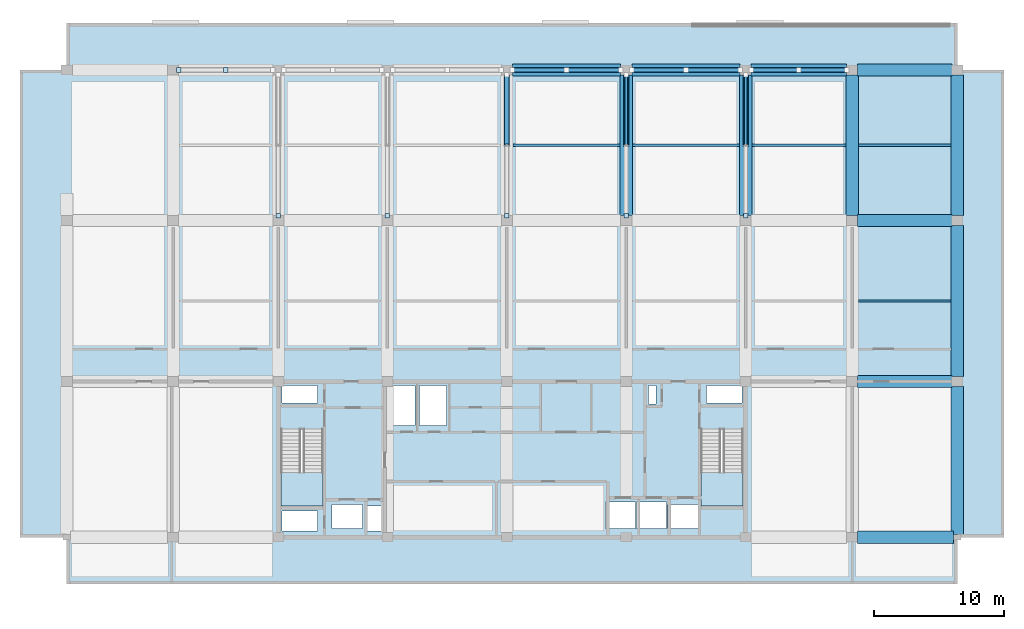
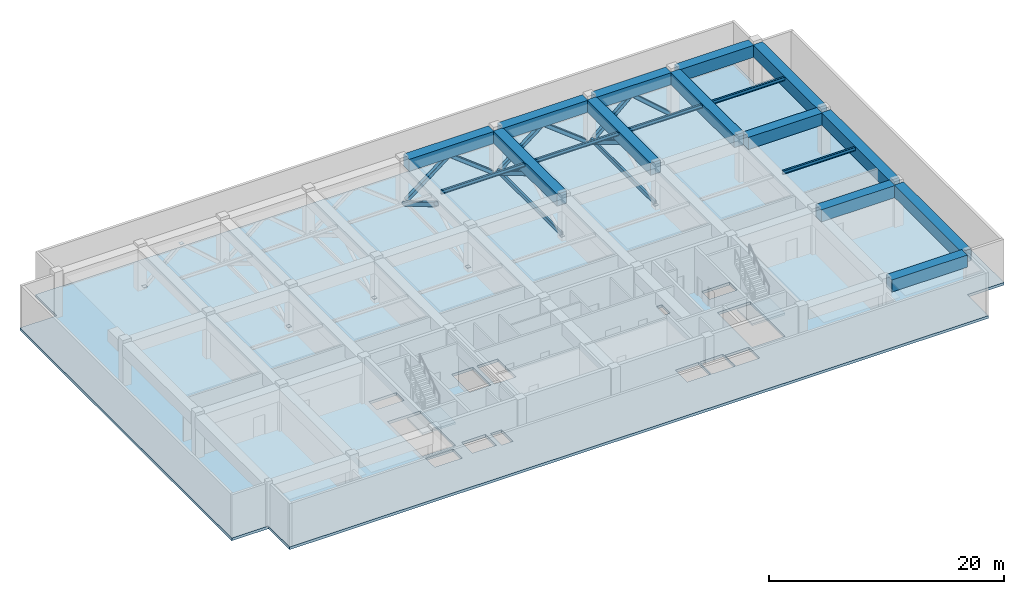
# One storey, part 2 of 11: 18 beams, 11 members, 7 plates, 3 slabs, 2 elements without a shape of their own.
"""IFC4 building model written with IfcOpenShell, lengths in metres."""

import ifcopenshell
import ifcopenshell.guid

model = None  # the IFC model being written
_history = None  # IfcOwnerHistory: only IFC2X3 demands one
_inside = {}  # id of a spatial element -> (the spatial element, [elements in it])
_under = {}  # id of a project, library or spatial element -> (it, [spatial elements below it])
_declared = {}  # id of a project -> (the project, [libraries it declares])
_typed = {}  # id of a type object -> (the type object, [elements of that type])
_made_of = {}  # id of a material, layer set ... -> (it, [elements and type objects made of it])


def new_model(schema):
    """Start an empty IFC model of exactly this schema.

    Asked for "IFC4X3", IfcOpenShell would pick the latest addendum, in which some entities
    have other attributes; the version numbers below select the first issue.
    IFC2X3 requires an IfcOwnerHistory on every rooted entity: one is made here for all.
    """
    global model, _history
    if schema == "IFC4X3":
        model = ifcopenshell.file(schema_version=(4, 3, 0, 0))
    else:
        model = ifcopenshell.file(schema=schema)
    _inside.clear()
    _under.clear()
    _declared.clear()
    _typed.clear()
    _made_of.clear()
    _history = None
    if model.schema == "IFC2X3":
        org = make("IfcOrganization", Name="unknown")
        user = make(
            "IfcPersonAndOrganization",
            ThePerson=make("IfcPerson", FamilyName="unknown"),
            TheOrganization=org,
        )
        app = make(
            "IfcApplication",
            ApplicationDeveloper=org,
            Version="unknown",
            ApplicationFullName="unknown",
            ApplicationIdentifier="unknown",
        )
        _history = make(
            "IfcOwnerHistory",
            OwningUser=user,
            OwningApplication=app,
            ChangeAction="ADDED",
            CreationDate=0,
        )
    return model


def make(cls, **values):
    """One entity of the class cls with the attributes given. An attribute that is None is left unset."""
    return model.create_entity(
        cls, **{name: value for name, value in values.items() if value is not None}
    )


def rooted(cls, **values):
    """An entity with a GlobalId (a new one), such as an element, a storey or a relation."""
    return make(cls, GlobalId=ifcopenshell.guid.new(), OwnerHistory=_history, **values)


def si_unit(unit_type, name, prefix=None):
    """IfcSIUnit, for example si_unit("LENGTHUNIT", "METRE", prefix="MILLI")."""
    return make("IfcSIUnit", UnitType=unit_type, Prefix=prefix, Name=name)


def assignment(units):
    """IfcUnitAssignment: the units of a project."""
    return None if units is None else make("IfcUnitAssignment", Units=units)


def point(xyz):
    """IfcCartesianPoint."""
    return None if xyz is None else make("IfcCartesianPoint", Coordinates=xyz)


def direction(xyz):
    """IfcDirection."""
    return None if xyz is None else make("IfcDirection", DirectionRatios=xyz)


def frame(location, z_axis=None, x_axis=None):
    """IfcAxis2Placement3D, a coordinate frame: its origin and axes. An axis left out is left unset."""
    return make(
        "IfcAxis2Placement3D",
        Location=point(location),
        Axis=direction(z_axis),
        RefDirection=direction(x_axis),
    )


def frame_2d(location, x_axis=None):
    """IfcAxis2Placement2D, a coordinate frame in the plane: its origin and x axis."""
    return make(
        "IfcAxis2Placement2D", Location=point(location), RefDirection=direction(x_axis)
    )


def origin():
    """The frame at (0, 0, 0) with its axes left unset."""
    return frame((0.0, 0.0, 0.0))


def origin_2d():
    """The frame at (0, 0) in the plane with its x axis left unset."""
    return frame_2d((0.0, 0.0))


def place(relative_to, where):
    """IfcLocalPlacement: puts the frame where relative to a parent placement (None: the world)."""
    return make(
        "IfcLocalPlacement", PlacementRelTo=relative_to, RelativePlacement=where
    )


def context(
    kind, dimensions, precision=None, world=None, true_north=None, identifier=None
):
    """IfcGeometricRepresentationContext, for example the 3D "Model" context."""
    return make(
        "IfcGeometricRepresentationContext",
        ContextIdentifier=identifier,
        ContextType=kind,
        CoordinateSpaceDimension=dimensions,
        Precision=precision,
        WorldCoordinateSystem=world,
        TrueNorth=true_north,
    )


def subcontext(parent, identifier, kind, view, scale=None):
    """IfcGeometricRepresentationSubContext, for example "Body" below "Model"."""
    return make(
        "IfcGeometricRepresentationSubContext",
        ContextIdentifier=identifier,
        ContextType=kind,
        ParentContext=parent,
        TargetScale=scale,
        TargetView=view,
    )


def project(units=None, contexts=None):
    """IfcProject with its units and contexts."""
    return rooted(
        "IfcProject",
        Name="project",
        RepresentationContexts=contexts,
        UnitsInContext=assignment(units),
    )


def spatial(cls, under=None, at=None, **own):
    """A site, building, storey or space (cls), placed at a placement, below another one or the project."""
    s = rooted(cls, ObjectPlacement=at, **own)
    if under is not None:
        _under.setdefault(under.id(), (under, []))[1].append(s)
    return s


def polyline(points):
    """IfcPolyline through the points."""
    return make("IfcPolyline", Points=[point(p) for p in points])


def profile(cls, at=None, kind="AREA", **sizes):
    """A parametric profile (cls). Its sizes go by their IFC names, for example OverallWidth=200.0."""
    return make(cls, ProfileType=kind, Position=at, **sizes)


def rectangle(**sizes):
    """IfcRectangleProfileDef."""
    return profile("IfcRectangleProfileDef", **sizes)


def hollow_rectangle(**sizes):
    """IfcRectangleHollowProfileDef."""
    return profile("IfcRectangleHollowProfileDef", **sizes)


def i_section(**sizes):
    """IfcIShapeProfileDef."""
    return profile("IfcIShapeProfileDef", **sizes)


def outline(outer, holes=None, kind="AREA"):
    """IfcArbitraryClosedProfileDef: a profile drawn as a closed curve; with holes, ...WithVoids."""
    if holes is None:
        return make("IfcArbitraryClosedProfileDef", ProfileType=kind, OuterCurve=outer)
    return make(
        "IfcArbitraryProfileDefWithVoids",
        ProfileType=kind,
        OuterCurve=outer,
        InnerCurves=holes,
    )


def extrude(swept, where, along, depth):
    """IfcExtrudedAreaSolid: the profile swept, set in the frame where, extruded along a direction by depth."""
    return make(
        "IfcExtrudedAreaSolid",
        SweptArea=swept,
        Position=where,
        ExtrudedDirection=direction(along),
        Depth=depth,
    )


def shape(context_of_items, identifier, shape_type, items):
    """IfcShapeRepresentation: the items that make up one representation, for example the "Body"."""
    return make(
        "IfcShapeRepresentation",
        ContextOfItems=context_of_items,
        RepresentationIdentifier=identifier,
        RepresentationType=shape_type,
        Items=items,
    )


def material(Name=None, Category=None):
    """IfcMaterial."""
    return make("IfcMaterial", Name=Name, Category=Category)


def layer(
    of_material, thickness, ventilated=None, Name=None, Category=None, Priority=None
):
    """IfcMaterialLayer: one layer of a wall or slab, of a material (None: an air gap)."""
    return make(
        "IfcMaterialLayer",
        Material=of_material,
        LayerThickness=thickness,
        IsVentilated=ventilated,
        Name=Name,
        Category=Category,
        Priority=Priority,
    )


def layer_set(layers, Name=None):
    """IfcMaterialLayerSet."""
    return make("IfcMaterialLayerSet", MaterialLayers=layers, LayerSetName=Name)


def material_profile(
    of_material, cross_section, Name=None, Category=None, Priority=None
):
    """IfcMaterialProfile: a cross section and its material."""
    return make(
        "IfcMaterialProfile",
        Name=Name,
        Material=of_material,
        Profile=cross_section,
        Priority=Priority,
        Category=Category,
    )


def profile_set(profiles, Name=None, composite=None):
    """IfcMaterialProfileSet."""
    return make(
        "IfcMaterialProfileSet",
        Name=Name,
        MaterialProfiles=profiles,
        CompositeProfile=composite,
    )


def made_of(thing, what):
    """Note that an element or type object is made of a material, layer set ...; save() writes the relation."""
    if what is not None:
        _made_of.setdefault(what.id(), (what, []))[1].append(thing)
    return thing


def type_object(cls, material=None, **own):
    """A type object (cls), such as IfcWallType, which elements share."""
    return made_of(rooted(cls, **own), material)


def element(
    cls,
    number,
    at=None,
    inside=None,
    cuts=None,
    type_object=None,
    material=None,
    context=None,
    identifier="Body",
    shape_type=None,
    held_by="IfcProductDefinitionShape",
    body=None,
    shapes=None,
    **own,
):
    """One element of the class cls, such as IfcWall. Its Tag is "e" and its number.

    at: its placement. inside: the storey or other place that contains it. cuts: it is an
    opening in that element (IfcRelVoidsElement). A single representation is given by context,
    identifier, shape_type and body (its items); several are given by shapes. held_by: the class
    of the entity that holds the representations. save() writes the other relations.
    """
    e = rooted(cls, Tag="e%d" % number, ObjectPlacement=at, **own)
    if body is not None:
        shapes = [shape(context, identifier, shape_type, body)]
    if shapes is not None:
        e.Representation = make(held_by, Representations=shapes)
    if inside is not None:
        _inside.setdefault(inside.id(), (inside, []))[1].append(e)
    if cuts is not None:
        rooted(
            "IfcRelVoidsElement", RelatingBuildingElement=cuts, RelatedOpeningElement=e
        )
    if type_object is not None:
        _typed.setdefault(type_object.id(), (type_object, []))[1].append(e)
    return made_of(e, material)


def aggregate(whole, parts):
    """IfcRelAggregates: a whole, such as a stair, and the parts it consists of."""
    return rooted("IfcRelAggregates", RelatingObject=whole, RelatedObjects=parts)


def save(model, path):
    """Write the relations noted so far, then the file.

    IfcRelAggregates (storeys below a building ...), IfcRelContainedInSpatialStructure (elements
    in a storey), IfcRelDefinesByType, IfcRelAssociatesMaterial and IfcRelDeclares: one each for
    every whole, place, type object, material and project.
    """
    for whole, parts in _under.values():
        aggregate(whole, parts)
    for where, things in _inside.values():
        rooted(
            "IfcRelContainedInSpatialStructure",
            RelatedElements=things,
            RelatingStructure=where,
        )
    for kind, things in _typed.values():
        rooted("IfcRelDefinesByType", RelatedObjects=things, RelatingType=kind)
    for what, things in _made_of.values():
        rooted("IfcRelAssociatesMaterial", RelatedObjects=things, RelatingMaterial=what)
    for by, libraries in _declared.values():
        rooted("IfcRelDeclares", RelatingContext=by, RelatedDefinitions=libraries)
    model.write(path)


model = new_model("IFC4")

# Units and contexts
model_context = context("Model", 3, precision=1e-05, world=origin(), true_north=direction((0.0, 1.0)))
body_context = subcontext(model_context, "Body", "Model", "MODEL_VIEW")
ifc_project = project(units=[si_unit("LENGTHUNIT", "METRE"), si_unit("AREAUNIT", "SQUARE_METRE"), si_unit("VOLUMEUNIT", "CUBIC_METRE"), si_unit("PLANEANGLEUNIT", "RADIAN"), si_unit("MASSUNIT", "GRAM", prefix="KILO")], contexts=[model_context])

# Site, building, storey
site_placement = place(None, origin())
site = spatial("IfcSite", under=ifc_project, at=site_placement, CompositionType="ELEMENT")
building_placement = place(site_placement, origin())
building = spatial("IfcBuilding", under=site, at=building_placement, Name="Korimba Cascade Residences", CompositionType="ELEMENT")
storey_placement = place(building_placement, frame((0.0, 0.0, 223.85009765625)))
storey = spatial("IfcBuildingStorey", under=building, at=storey_placement, Name="L65", CompositionType="ELEMENT", Elevation=223.85009765625)

# Beams
ifc_material_1 = material(Name="Steel S355", Category="steel")
ifc_material_profile_1 = material_profile(ifc_material_1, i_section(OverallWidth=0.172119140625, OverallDepth=0.35791015625, WebThickness=0.008056640625, FlangeThickness=0.012939453125, FilletRadius=0.01025390625, at=origin_2d()), Name="Steel S355")
ifc_profile_set_1 = profile_set([ifc_material_profile_1], Name="Steel S355")
beam_type_1 = type_object("IfcBeamType", Name="BM-STL-UB356", PredefinedType="JOIST", material=ifc_profile_set_1)
beam_1_placement = place(storey_placement, frame((120.77490234375, 73.39990234375, 4.30078125), z_axis=(1.0, 0.0, 0.0), x_axis=(0.0, 1.0, 0.0)))
element("IfcBeam", 1, at=beam_1_placement, inside=storey, type_object=beam_type_1, Name="L65 T1 Floor Joist 1.8", PredefinedType="JOIST", context=body_context, shape_type="SweptSolid", body=[
    extrude(i_section(OverallWidth=0.172119140625, OverallDepth=0.35791015625, WebThickness=0.008056640625, FlangeThickness=0.012939453125, FilletRadius=0.01025390625, at=origin_2d()), origin(), (0.0, 0.0, 1.0), 7.150146484375),
])
for number, where, z_axis, x_axis, name in (
    (2, (94.175048828125, 85.39990234375, 4.30078125), (1.0, 0.0, 0.0), (0.0, 1.0, 0.0), "L65 T1 Floor Joist 2.5"),
    (3, (103.375, 85.39990234375, 4.30078125), (1.0, 0.0, 0.0), (0.0, 1.0, 0.0), "L65 T1 Floor Joist 2.6"),
):
    element("IfcBeam", number, at=place(storey_placement, frame(where, z_axis=z_axis, x_axis=x_axis)), inside=storey, type_object=beam_type_1, Name=name, PredefinedType="JOIST", context=body_context, shape_type="SweptSolid", body=[
        extrude(i_section(OverallWidth=0.172119140625, OverallDepth=0.35791015625, WebThickness=0.008056640625, FlangeThickness=0.012939453125, FilletRadius=0.01025390625, at=origin_2d()), origin(), (0.0, 0.0, 1.0), 8.25),
    ])
beam_2_placement = place(storey_placement, frame((112.574951171875, 85.39990234375, 4.30078125), z_axis=(1.0, 0.0, 0.0), x_axis=(0.0, 1.0, 0.0)))
element("IfcBeam", 4, at=beam_2_placement, inside=storey, type_object=beam_type_1, Name="L65 T1 Floor Joist 2.7", PredefinedType="JOIST", context=body_context, shape_type="SweptSolid", body=[
    extrude(i_section(OverallWidth=0.172119140625, OverallDepth=0.35791015625, WebThickness=0.008056640625, FlangeThickness=0.012939453125, FilletRadius=0.01025390625, at=origin_2d()), origin(), (0.0, 0.0, 1.0), 7.25),
])
beam_3_placement = place(storey_placement, frame((120.77490234375, 85.39990234375, 4.30078125), z_axis=(1.0, 0.0, 0.0), x_axis=(0.0, 1.0, 0.0)))
element("IfcBeam", 5, at=beam_3_placement, inside=storey, type_object=beam_type_1, Name="L65 T1 Floor Joist 2.8", PredefinedType="JOIST", context=body_context, shape_type="SweptSolid", body=[
    extrude(i_section(OverallWidth=0.172119140625, OverallDepth=0.35791015625, WebThickness=0.008056640625, FlangeThickness=0.012939453125, FilletRadius=0.01025390625, at=origin_2d()), origin(), (0.0, 0.0, 1.0), 7.150146484375),
])
ifc_material_2 = material(Name="Concrete C65/80", Category="concrete")
ifc_material_profile_2 = material_profile(ifc_material_2, rectangle(XDim=0.949951171875, YDim=1.25, at=origin_2d()), Name="Concrete C65/80")
ifc_profile_set_2 = profile_set([ifc_material_profile_2], Name="Concrete C65/80")
beam_type_2 = type_object("IfcBeamType", Name="BM-TRF-1250", PredefinedType="T_BEAM", material=ifc_profile_set_2)
beam_4_placement = place(storey_placement, frame((120.72509765625, 55.199951171875, 3.85498046875), z_axis=(1.0, 0.0, 0.0), x_axis=(0.0, 1.0, 0.0)))
element("IfcBeam", 6, at=beam_4_placement, inside=storey, type_object=beam_type_2, Name="L65 T1 E-W Girder Y1 Bay 8", PredefinedType="T_BEAM", context=body_context, shape_type="SweptSolid", body=[
    extrude(rectangle(XDim=0.949951171875, YDim=1.25, at=origin_2d()), origin(), (0.0, 0.0, 1.0), 7.39990234375),
])
for number, where, z_axis, x_axis, name in (
    (7, (120.72509765625, 67.199951171875, 3.85498046875), (1.0, 0.0, 0.0), (0.0, 1.0, 0.0), "L65 T1 E-W Girder Y2 Bay 8"),
    (8, (120.72509765625, 79.60009765625, 3.85498046875), (1.0, 0.0, 0.0), (0.0, 1.0, 0.0), "L65 T1 E-W Girder Y3 Bay 8"),
):
    element("IfcBeam", number, at=place(storey_placement, frame(where, z_axis=z_axis, x_axis=x_axis)), inside=storey, type_object=beam_type_2, Name=name, PredefinedType="T_BEAM", context=body_context, shape_type="SweptSolid", body=[
        extrude(rectangle(XDim=0.949951171875, YDim=1.25, at=origin_2d()), origin(), (0.0, 0.0, 1.0), 7.25),
    ])
for number, where, z_axis, x_axis, name in (
    (9, (94.125, 91.199951171875, 3.85498046875), (1.0, 0.0, 0.0), (0.0, 1.0, 0.0), "L65 T1 E-W Girder Y4 Bay 5"),
    (10, (103.324951171875, 91.199951171875, 3.85498046875), (1.0, 0.0, 0.0), (0.0, 1.0, 0.0), "L65 T1 E-W Girder Y4 Bay 6"),
):
    element("IfcBeam", number, at=place(storey_placement, frame(where, z_axis=z_axis, x_axis=x_axis)), inside=storey, type_object=beam_type_2, Name=name, PredefinedType="T_BEAM", context=body_context, shape_type="SweptSolid", body=[
        extrude(rectangle(XDim=0.949951171875, YDim=1.25, at=origin_2d()), origin(), (0.0, 0.0, 1.0), 8.35009765625),
    ])
beam_5_placement = place(storey_placement, frame((112.52490234375, 91.199951171875, 3.85498046875), z_axis=(1.0, 0.0, 0.0), x_axis=(0.0, 1.0, 0.0)))
element("IfcBeam", 11, at=beam_5_placement, inside=storey, type_object=beam_type_2, Name="L65 T1 E-W Girder Y4 Bay 7", PredefinedType="T_BEAM", context=body_context, shape_type="SweptSolid", body=[
    extrude(rectangle(XDim=0.949951171875, YDim=1.25, at=origin_2d()), origin(), (0.0, 0.0, 1.0), 7.35009765625),
])
beam_6_placement = place(storey_placement, frame((120.72509765625, 91.199951171875, 3.85498046875), z_axis=(1.0, 0.0, 0.0), x_axis=(0.0, 1.0, 0.0)))
element("IfcBeam", 12, at=beam_6_placement, inside=storey, type_object=beam_type_2, Name="L65 T1 E-W Girder Y4 Bay 8", PredefinedType="T_BEAM", context=body_context, shape_type="SweptSolid", body=[
    extrude(rectangle(XDim=0.949951171875, YDim=1.25, at=origin_2d()), origin(), (0.0, 0.0, 1.0), 7.25),
])
for number, where, z_axis, x_axis, name in (
    (13, (102.89990234375, 79.97509765625, 3.85498046875), (0.0, 1.0, 0.0), (-1.0, 0.0, 0.0), "L65 T1 N-S Girder X6 Seg 3"),
    (14, (112.10009765625, 79.97509765625, 3.85498046875), (0.0, 1.0, 0.0), (-1.0, 0.0, 0.0), "L65 T1 N-S Girder X7 Seg 3"),
    (15, (120.300048828125, 79.97509765625, 3.85498046875), (0.0, 1.0, 0.0), (-1.0, 0.0, 0.0), "L65 T1 N-S Girder X8 Seg 3"),
):
    element("IfcBeam", number, at=place(storey_placement, frame(where, z_axis=z_axis, x_axis=x_axis)), inside=storey, type_object=beam_type_2, Name=name, PredefinedType="T_BEAM", context=body_context, shape_type="SweptSolid", body=[
        extrude(rectangle(XDim=0.949951171875, YDim=1.25, at=origin_2d()), origin(), (0.0, 0.0, 1.0), 10.849853515625),
    ])
beam_7_placement = place(storey_placement, frame((128.39990234375, 55.425048828125, 3.85498046875), z_axis=(0.0, 1.0, 0.0), x_axis=(-1.0, 0.0, 0.0)))
element("IfcBeam", 16, at=beam_7_placement, inside=storey, type_object=beam_type_2, Name="L65 T1 N-S Girder X9 Seg 1", PredefinedType="T_BEAM", context=body_context, shape_type="SweptSolid", body=[
    extrude(rectangle(XDim=0.949951171875, YDim=1.25, at=origin_2d()), origin(), (0.0, 0.0, 1.0), 11.39990234375),
])
beam_8_placement = place(storey_placement, frame((128.39990234375, 67.574951171875, 3.85498046875), z_axis=(0.0, 1.0, 0.0), x_axis=(-1.0, 0.0, 0.0)))
element("IfcBeam", 17, at=beam_8_placement, inside=storey, type_object=beam_type_2, Name="L65 T1 N-S Girder X9 Seg 2", PredefinedType="T_BEAM", context=body_context, shape_type="SweptSolid", body=[
    extrude(rectangle(XDim=0.949951171875, YDim=1.25, at=origin_2d()), origin(), (0.0, 0.0, 1.0), 11.650146484375),
])
beam_9_placement = place(storey_placement, frame((128.39990234375, 79.97509765625, 3.85498046875), z_axis=(0.0, 1.0, 0.0), x_axis=(-1.0, 0.0, 0.0)))
element("IfcBeam", 18, at=beam_9_placement, inside=storey, type_object=beam_type_2, Name="L65 T1 N-S Girder X9 Seg 3", PredefinedType="T_BEAM", context=body_context, shape_type="SweptSolid", body=[
    extrude(rectangle(XDim=0.949951171875, YDim=1.25, at=origin_2d()), origin(), (0.0, 0.0, 1.0), 10.849853515625),
])

# Members
ifc_material_3 = material(Name="Steel S460", Category="steel")
ifc_material_profile_3 = material_profile(ifc_material_3, hollow_rectangle(XDim=0.35009765625, YDim=0.35009765625, WallThickness=0.01611328125, InnerFilletRadius=0.01611328125, OuterFilletRadius=0.031982421875, at=origin_2d()), Name="Steel S460")
ifc_profile_set_3 = profile_set([ifc_material_profile_3], Name="Steel S460")
member_type_1 = type_object("IfcMemberType", Name="MEM-BLT-SHS350", PredefinedType="BRACE", material=ifc_profile_set_3)
for number, where, z_axis, x_axis, name in (
    (19, (94.125, 91.199951171875, 0.0), (0.790935986715, 0.0, 0.611898900897), (0.0, 1.0, 0.0), "L65 T1 Belt Chevron 4A"),
    (20, (102.47509765625, 91.199951171875, 0.0), (-0.790935986715, 0.0, 0.611898900897), (0.0, -1.0, 0.0), "L65 T1 Belt Chevron 4B"),
    (21, (103.324951171875, 91.199951171875, 0.0), (0.790935986715, 0.0, 0.611898900897), (0.0, 1.0, 0.0), "L65 T1 Belt Chevron 5A"),
    (22, (111.675048828125, 91.199951171875, 0.0), (-0.790935986715, 0.0, 0.611898900897), (0.0, -1.0, 0.0), "L65 T1 Belt Chevron 5B"),
):
    element("IfcMember", number, at=place(storey_placement, frame(where, z_axis=z_axis, x_axis=x_axis)), inside=storey, type_object=member_type_1, Name=name, PredefinedType="BRACE", context=body_context, shape_type="SweptSolid", body=[
        extrude(hollow_rectangle(XDim=0.35009765625, YDim=0.35009765625, WallThickness=0.01611328125, InnerFilletRadius=0.01611328125, OuterFilletRadius=0.031982421875, at=origin_2d()), origin(), (0.0, 0.0, 1.0), 5.278564453125),
    ])
for number, where, z_axis, x_axis, name in (
    (23, (112.52490234375, 91.199951171875, 0.0), (0.751125159107, 0.0, 0.660159825615), (0.0, 1.0, 0.0), "L65 T1 Belt Chevron 6A"),
    (24, (119.875, 91.199951171875, 0.0), (-0.751125159107, 0.0, 0.660159825615), (0.0, -1.0, 0.0), "L65 T1 Belt Chevron 6B"),
):
    element("IfcMember", number, at=place(storey_placement, frame(where, z_axis=z_axis, x_axis=x_axis)), inside=storey, type_object=member_type_1, Name=name, PredefinedType="BRACE", context=body_context, shape_type="SweptSolid", body=[
        extrude(hollow_rectangle(XDim=0.35009765625, YDim=0.35009765625, WallThickness=0.01611328125, InnerFilletRadius=0.01611328125, OuterFilletRadius=0.031982421875, at=origin_2d()), origin(), (0.0, 0.0, 1.0), 4.892822265625),
    ])
ifc_material_profile_4 = material_profile(ifc_material_3, hollow_rectangle(XDim=0.199951171875, YDim=0.39990234375, WallThickness=0.012451171875, InnerFilletRadius=0.012451171875, OuterFilletRadius=0.02490234375, at=origin_2d()), Name="Steel S460")
ifc_profile_set_4 = profile_set([ifc_material_profile_4], Name="Steel S460")
member_type_2 = type_object("IfcMemberType", Name="MEM-OUT-CHD400", PredefinedType="CHORD", material=ifc_profile_set_4)
for number, where, z_axis, x_axis, name in (
    (25, (102.89990234375, 79.97509765625, 0.199951171875), (0.0, 1.0, 0.0), (-1.0, 0.0, 0.0), "L65 T1 Outrigger Bottom Tie 4"),
    (26, (112.10009765625, 79.97509765625, 0.199951171875), (0.0, 1.0, 0.0), (-1.0, 0.0, 0.0), "L65 T1 Outrigger Bottom Tie 5"),
):
    element("IfcMember", number, at=place(storey_placement, frame(where, z_axis=z_axis, x_axis=x_axis)), inside=storey, type_object=member_type_2, Name=name, PredefinedType="CHORD", context=body_context, shape_type="SweptSolid", body=[
        extrude(hollow_rectangle(XDim=0.199951171875, YDim=0.39990234375, WallThickness=0.012451171875, InnerFilletRadius=0.012451171875, OuterFilletRadius=0.02490234375, at=origin_2d()), origin(), (0.0, 0.0, 1.0), 10.849853515625),
    ])
ifc_material_profile_5 = material_profile(ifc_material_3, hollow_rectangle(XDim=0.39990234375, YDim=0.39990234375, WallThickness=0.01611328125, InnerFilletRadius=0.01611328125, OuterFilletRadius=0.031982421875, at=origin_2d()), Name="Steel S460")
ifc_profile_set_5 = profile_set([ifc_material_profile_5], Name="Steel S460")
member_type_3 = type_object("IfcMemberType", Name="MEM-OUT-SHS400", PredefinedType="BRACE", material=ifc_profile_set_5)
for number, where, z_axis, x_axis, name in (
    (27, (93.699951171875, 90.824951171875, 0.0), (0.0, -0.859238252474, 0.51157563027), (1.0, 0.0, 0.0), "L65 T1 Outrigger Chevron 3B"),
    (28, (102.89990234375, 90.824951171875, 0.0), (0.0, -0.859238252474, 0.51157563027), (1.0, 0.0, 0.0), "L65 T1 Outrigger Chevron 4B"),
    (29, (112.10009765625, 90.824951171875, 0.0), (0.0, -0.859238252474, 0.51157563027), (1.0, 0.0, 0.0), "L65 T1 Outrigger Chevron 5B"),
):
    element("IfcMember", number, at=place(storey_placement, frame(where, z_axis=z_axis, x_axis=x_axis)), inside=storey, type_object=member_type_3, Name=name, PredefinedType="BRACE", context=body_context, shape_type="SweptSolid", body=[
        extrude(hollow_rectangle(XDim=0.39990234375, YDim=0.39990234375, WallThickness=0.01611328125, InnerFilletRadius=0.01611328125, OuterFilletRadius=0.031982421875, at=origin_2d()), origin(), (0.0, 0.0, 1.0), 6.313720703125),
    ])

# Plates
ifc_layer_1 = layer(ifc_material_3, 0.028076171875)
ifc_layer_set_1 = layer_set([ifc_layer_1], Name="Steel S460")
plate_type = type_object("IfcPlateType", Name="PLT-ENDCAP-28", PredefinedType="USERDEFINED", material=ifc_layer_set_1)
for number, where, z_axis, x_axis, name in (
    (30, (76.10009765625, 79.97509765625, 0.005859375), (0.0, 0.0, 1.0), (1.0, 0.0, 0.0), "L65 Brace Welded End Connection Plate 158"),
    (31, (84.5, 79.97509765625, 0.005859375), (0.0, 0.0, 1.0), (1.0, 0.0, 0.0), "L65 Brace Welded End Connection Plate 160"),
    (32, (93.699951171875, 79.97509765625, 0.005859375), (0.0, 0.0, 1.0), (1.0, 0.0, 0.0), "L65 Brace Welded End Connection Plate 162"),
    (33, (102.89990234375, 79.97509765625, 0.005859375), (0.0, 0.0, 1.0), (1.0, 0.0, 0.0), "L65 Brace Welded End Connection Plate 164"),
    (34, (112.10009765625, 79.97509765625, 0.005859375), (0.0, 0.0, 1.0), (1.0, 0.0, 0.0), "L65 Brace Welded End Connection Plate 166"),
    (35, (68.425048828125, 91.199951171875, 0.005859375), (0.0, 0.0, 1.0), (1.0, 0.0, 0.0), "L65 Brace Welded End Connection Plate 168"),
    (36, (72.050048828125, 91.199951171875, 3.2158203125), (0.0, 0.0, 1.0), (1.0, 0.0, 0.0), "L65 Brace Welded End Connection Plate 169"),
):
    element("IfcPlate", number, at=place(storey_placement, frame(where, z_axis=z_axis, x_axis=x_axis)), inside=storey, type_object=plate_type, Name=name, ObjectType="CAP PLATE", PredefinedType="USERDEFINED", context=body_context, shape_type="SweptSolid", body=[
        extrude(rectangle(XDim=0.360107421875, YDim=0.360107421875, at=origin_2d()), origin(), (0.0, 0.0, 1.0), 0.028076171875),
    ])

# Stair, slab
ifc_material_4 = material(Name="Concrete C50/60", Category="concrete")
stair_type_1 = type_object("IfcStairType", Name="STR-W1-26R-1846", PredefinedType="HALF_TURN_STAIR", material=ifc_material_4)
stair_1_placement = place(storey_placement, origin())
stair_1 = element("IfcStair", 37, at=stair_1_placement, inside=storey, type_object=stair_type_1, Name="L65 Tower 1 West Fire Stair ST-W1", PredefinedType="HALF_TURN_STAIR")
ifc_layer_2 = layer(ifc_material_4, 0.199951171875)
ifc_layer_set_2 = layer_set([ifc_layer_2], Name="Concrete C50/60")
slab_type_1 = type_object("IfcSlabType", Name="SLB-LND-220", PredefinedType="LANDING", material=ifc_layer_set_2)
slab_1_placement = place(storey_placement, frame((0.0, 0.0, 2.199951171875)))
slab_1 = element("IfcSlab", 38, at=slab_1_placement, type_object=slab_type_1, Name="ST-W1 landing 1", PredefinedType="LANDING", context=body_context, shape_type="SweptSolid", body=[
    extrude(outline(polyline([(76.300048828125, 60.18994140625), (76.300048828125, 57.60009765625), (79.5400390625, 57.60009765625), (79.5400390625, 60.18994140625), (76.300048828125, 60.18994140625)])), origin(), (0.0, 0.0, 1.0), 0.199951171875),
])
aggregate(stair_1, [slab_1])

stair_type_2 = type_object("IfcStairType", Name="STR-W2-26R-1846", PredefinedType="HALF_TURN_STAIR", material=ifc_material_4)
stair_2_placement = place(storey_placement, origin())
stair_2 = element("IfcStair", 39, at=stair_2_placement, inside=storey, type_object=stair_type_2, Name="L65 Tower 1 East Fire Stair ST-W2", PredefinedType="HALF_TURN_STAIR")
slab_2_placement = place(storey_placement, frame((0.0, 0.0, 2.199951171875)))
slab_2 = element("IfcSlab", 40, at=slab_2_placement, type_object=slab_type_1, Name="ST-W2 landing 1", PredefinedType="LANDING", context=body_context, shape_type="SweptSolid", body=[
    extrude(outline(polyline([(108.659912109375, 60.18994140625), (108.659912109375, 57.60009765625), (111.89990234375, 57.60009765625), (111.89990234375, 60.18994140625), (108.659912109375, 60.18994140625)])), origin(), (0.0, 0.0, 1.0), 0.199951171875),
])
aggregate(stair_2, [slab_2])

# Slab
ifc_layer_3 = layer(ifc_material_4, 0.280029296875)
ifc_layer_set_3 = layer_set([ifc_layer_3], Name="Concrete C50/60")
slab_type_2 = type_object("IfcSlabType", Name="SLB-REF-280", PredefinedType="FLOOR", material=ifc_layer_set_3)
slab_3_placement = place(storey_placement, frame((0.0, 0.0, -0.280029296875)))
element("IfcSlab", 41, at=slab_3_placement, inside=storey, type_object=slab_type_2, Name="L65 Tower 1 Floor Slab", PredefinedType="FLOOR", context=body_context, shape_type="SweptSolid", body=[
    extrude(outline(polyline([(59.800048828125, 51.60009765625), (128.39990234375, 51.60009765625), (128.39990234375, 55.199951171875), (132.0, 55.199951171875), (132.0, 91.199951171875), (128.39990234375, 91.199951171875), (128.39990234375, 94.800048828125), (59.800048828125, 94.800048828125), (59.800048828125, 91.199951171875), (56.199951171875, 91.199951171875), (56.199951171875, 55.199951171875), (59.800048828125, 55.199951171875), (59.800048828125, 51.60009765625)]), holes=[polyline([(76.300048828125, 63.514892578125), (76.300048828125, 57.60009765625), (79.5400390625, 57.60009765625), (79.5400390625, 63.514892578125), (76.300048828125, 63.514892578125)]), polyline([(108.659912109375, 63.514892578125), (108.659912109375, 57.60009765625), (111.89990234375, 57.60009765625), (111.89990234375, 63.514892578125), (108.659912109375, 63.514892578125)]), polyline([(80.22998046875, 55.8798828125), (82.570068359375, 55.8798828125), (82.570068359375, 57.719970703125), (80.22998046875, 57.719970703125), (80.22998046875, 55.8798828125)]), polyline([(106.080078125, 55.8798828125), (108.419921875, 55.8798828125), (108.419921875, 57.719970703125), (106.080078125, 57.719970703125), (106.080078125, 55.8798828125)]), polyline([(101.304931640625, 55.8798828125), (103.594970703125, 55.8798828125), (103.594970703125, 57.919921875), (101.304931640625, 57.919921875), (101.304931640625, 55.8798828125)]), polyline([(103.705078125, 55.8798828125), (105.9951171875, 55.8798828125), (105.9951171875, 57.919921875), (103.705078125, 57.919921875), (103.705078125, 55.8798828125)]), polyline([(82.97998046875, 55.679931640625), (84.080078125, 55.679931640625), (84.080078125, 57.6201171875), (82.97998046875, 57.6201171875), (82.97998046875, 55.679931640625)]), polyline([(76.39990234375, 65.56005859375), (79.10009765625, 65.56005859375), (79.10009765625, 66.8798828125), (76.39990234375, 66.8798828125), (76.39990234375, 65.56005859375)]), polyline([(76.39990234375, 55.679931640625), (79.10009765625, 55.679931640625), (79.10009765625, 57.239990234375), (76.39990234375, 57.239990234375), (76.39990234375, 55.679931640625)]), polyline([(84.530029296875, 63.820068359375), (86.6201171875, 63.820068359375), (86.6201171875, 66.8798828125), (84.530029296875, 66.8798828125), (84.530029296875, 63.820068359375)]), polyline([(86.97998046875, 63.820068359375), (89.070068359375, 63.820068359375), (89.070068359375, 66.8798828125), (86.97998046875, 66.8798828125), (86.97998046875, 63.820068359375)]), polyline([(104.6201171875, 65.4599609375), (105.179931640625, 65.4599609375), (105.179931640625, 66.8798828125), (104.6201171875, 66.8798828125), (104.6201171875, 65.4599609375)]), polyline([(109.080078125, 65.56005859375), (111.800048828125, 65.56005859375), (111.800048828125, 66.8798828125), (109.080078125, 66.8798828125), (109.080078125, 65.56005859375)])]), origin(), (0.0, 0.0, 1.0), 0.280029296875),
])

save(model, "model.ifc")
